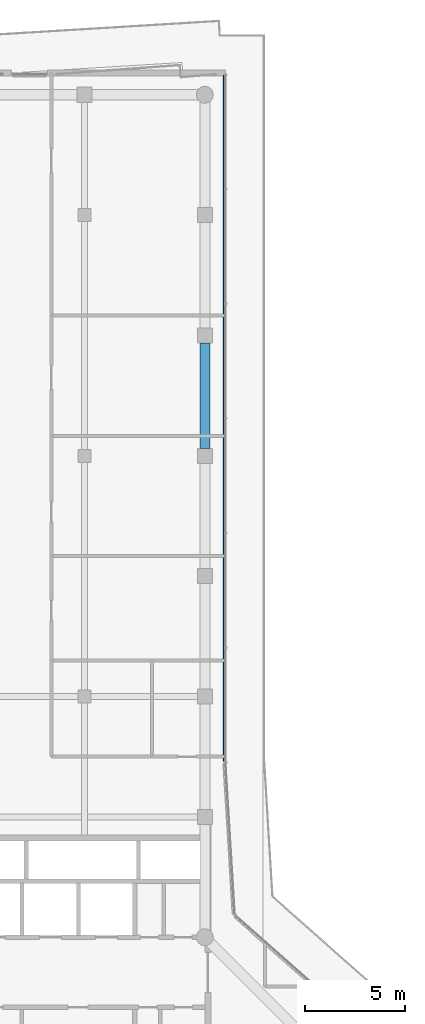
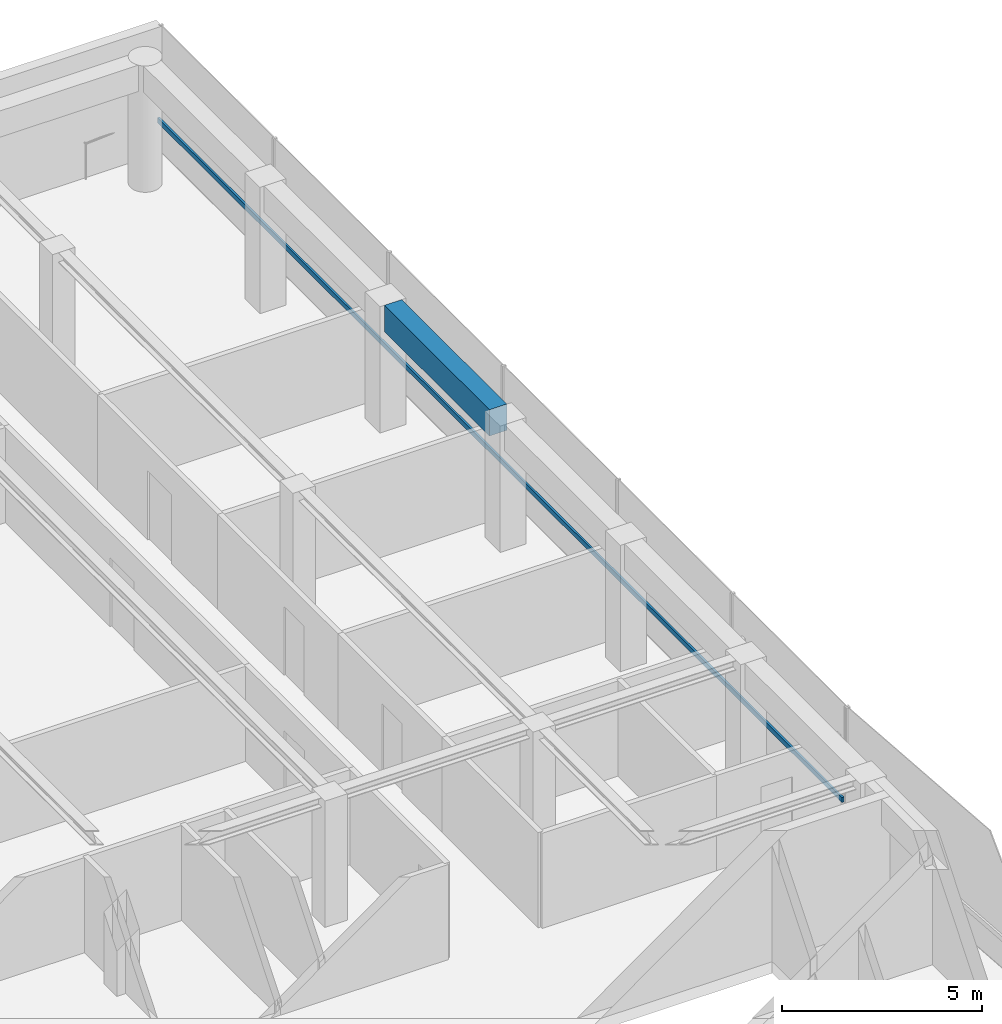
# One storey, part 14 of 21: 1 beam, 1 member, 1 element without a shape of its own.
"""IFC4 building model written with IfcOpenShell, lengths in metres."""

from ifc_helpers import new_model, si_unit, direction, frame, origin, origin_2d, place, context, subcontext, project, spatial, rectangle, extrude, material, layer, layer_set, material_profile, profile_set, type_object, element, aggregate, save


model = new_model("IFC4")

# Units and contexts
model_context = context("Model", 3, precision=1e-05, world=origin(), true_north=direction((0.0, 1.0)))
body_context = subcontext(model_context, "Body", "Model", "MODEL_VIEW")
ifc_project = project(units=[si_unit("LENGTHUNIT", "METRE"), si_unit("AREAUNIT", "SQUARE_METRE"), si_unit("VOLUMEUNIT", "CUBIC_METRE"), si_unit("PLANEANGLEUNIT", "RADIAN"), si_unit("MASSUNIT", "GRAM", prefix="KILO")], contexts=[model_context])

# Site, building, storey
site_placement = place(None, origin())
site = spatial("IfcSite", under=ifc_project, at=site_placement, CompositionType="ELEMENT")
building_placement = place(site_placement, origin())
building = spatial("IfcBuilding", under=site, at=building_placement, Name="Welwitschia Terrace Campus", CompositionType="ELEMENT")
storey_placement = place(building_placement, frame((0.0, 0.0, 302.0)))
storey = spatial("IfcBuildingStorey", under=building, at=storey_placement, Name="L67", CompositionType="ELEMENT", Elevation=302.0)

# Beam
ifc_material_1 = material(Name="Concrete C50/60", Category="concrete")
ifc_material_profile_1 = material_profile(ifc_material_1, rectangle(XDim=0.5, YDim=0.800048828125, at=origin_2d()))
ifc_profile_set_1 = profile_set([ifc_material_profile_1], Name="Concrete C50/60")
beam_type = type_object("IfcBeamType", Name="Ring spandrel 500x800", PredefinedType="SPANDREL", material=ifc_profile_set_1)
beam_placement = place(storey_placement, frame((24.0, 44.37548828125, 3.449951171875), z_axis=(0.0, 1.0, 0.0), x_axis=(-1.0, 0.0, 0.0)))
element("IfcBeam", 1, at=beam_placement, inside=storey, type_object=beam_type, Name="Spandrel SP4", PredefinedType="SPANDREL", context=body_context, shape_type="SweptSolid", body=[
    extrude(rectangle(XDim=0.5, YDim=0.800048828125, at=origin_2d()), origin(), (0.0, 0.0, 1.0), 5.2490234375),
])

# Curtain wall, member
ifc_material_2 = material(Name="Bronze anodised aluminium", Category="aluminium")
ifc_layer = layer(ifc_material_2, 0.1201171875)
ifc_layer_set = layer_set([ifc_layer], Name="Bronze anodised aluminium")
curtain_wall_type = type_object("IfcCurtainWallType", Name="Curtain wall CW2 tower 6000", PredefinedType="NOTDEFINED", material=ifc_layer_set)
curtain_wall_placement = place(storey_placement, origin())
curtain_wall = element("IfcCurtainWall", 2, at=curtain_wall_placement, inside=storey, type_object=curtain_wall_type, Name="CW L67.6.0", PredefinedType="NOTDEFINED")
ifc_material_3 = material(Name="Bronze anodised aluminium", Category="aluminium")
ifc_material_profile_2 = material_profile(ifc_material_3, rectangle(XDim=0.06005859375, YDim=0.14990234375, at=origin_2d()))
ifc_profile_set_2 = profile_set([ifc_material_profile_2], Name="Bronze anodised aluminium")
member_type = type_object("IfcMemberType", Name="Transom 60x150", PredefinedType="USERDEFINED", material=ifc_profile_set_2)
member_placement = place(storey_placement, frame((24.93994140625, 28.785888671875, 1.0), z_axis=(0.0, 1.0, 0.0), x_axis=(-1.0, 0.0, 0.0)))
member = element("IfcMember", 3, at=member_placement, type_object=member_type, Name="Transom L67.6.0", ObjectType="TRANSOM", PredefinedType="USERDEFINED", context=body_context, shape_type="SweptSolid", body=[
    extrude(rectangle(XDim=0.06005859375, YDim=0.14990234375, at=origin_2d()), origin(), (0.0, 0.0, 1.0), 34.18408203125),
])
aggregate(curtain_wall, [member])

save(model, "model.ifc")
